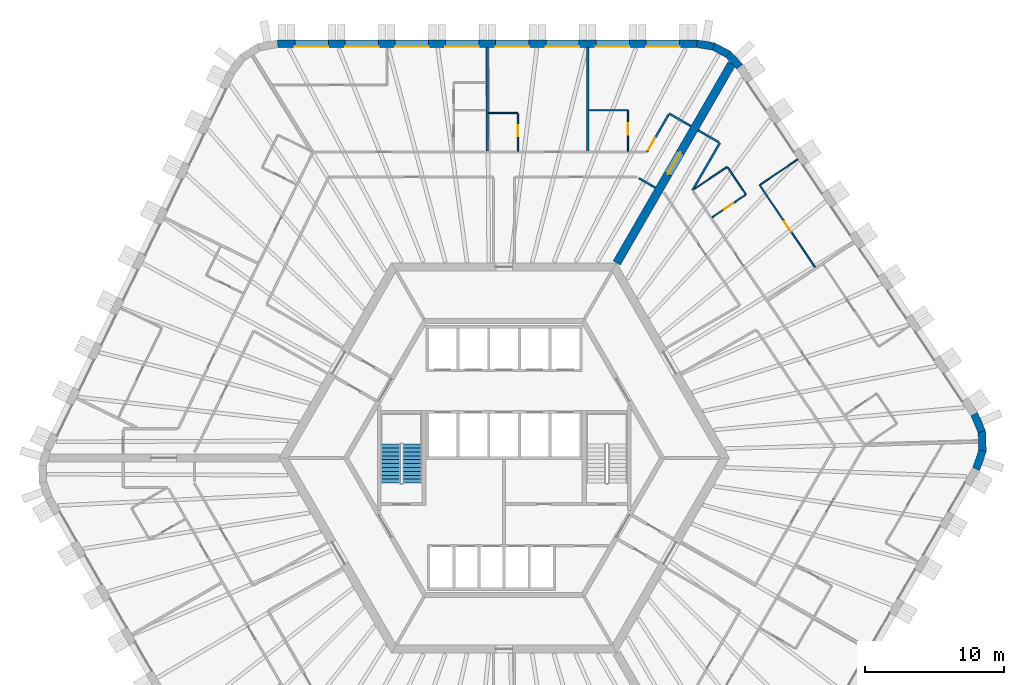
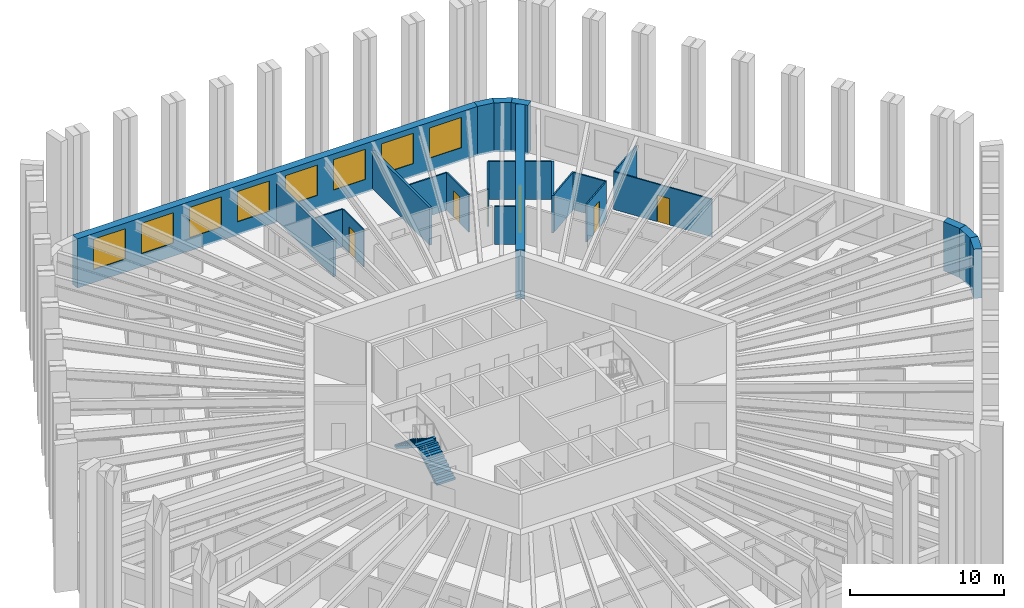
# One storey, part 10 of 13: 24 walls, 8 windows, 6 doors, 2 stair flights, 14 openings, 1 element without a shape of its own.
"""IFC4 building model written with IfcOpenShell, lengths in metres."""

from ifc_helpers import new_model, si_unit, direction, frame, frame_2d, origin, place, context, subcontext, project, spatial, polyline, rectangle, outline, extrude, material, layer, layer_set, type_object, element, fill, aggregate, save


model = new_model("IFC4")

# Units and contexts
model_context = context("Model", 3, precision=1e-05, world=origin(), true_north=direction((0.0, 1.0)))
body_context = subcontext(model_context, "Body", "Model", "MODEL_VIEW")
ifc_project = project(units=[si_unit("LENGTHUNIT", "METRE"), si_unit("AREAUNIT", "SQUARE_METRE"), si_unit("VOLUMEUNIT", "CUBIC_METRE"), si_unit("PLANEANGLEUNIT", "RADIAN"), si_unit("MASSUNIT", "GRAM", prefix="KILO")], contexts=[model_context])

# Site, building, storey
site_placement = place(None, origin())
site = spatial("IfcSite", under=ifc_project, at=site_placement, CompositionType="ELEMENT")
building_placement = place(site_placement, origin())
building = spatial("IfcBuilding", under=site, at=building_placement, Name="Tarnside Tower", CompositionType="ELEMENT")
storey_placement = place(building_placement, frame((0.0, 0.0, 111.60009765625)))
storey = spatial("IfcBuildingStorey", under=building, at=storey_placement, Name="L25", CompositionType="ELEMENT", Elevation=111.60009765625)

# Wall
ifc_material_1 = material(Name="Gypsum board partition on steel studs", Category="steel")
ifc_layer_1 = layer(ifc_material_1, 0.10009765625)
ifc_layer_set_1 = layer_set([ifc_layer_1], Name="Bathroom wall 100")
wall_type_1 = type_object("IfcWallType", Name="Bathroom wall 100", PredefinedType="PARTITIONING", material=ifc_layer_set_1)
wall_1_placement = place(storey_placement, frame((6.078857421875, 24.949951171875, 0.0), z_axis=(0.0, 0.0, 1.0), x_axis=(1.0, 0.0, 0.0)))
element("IfcWall", 1, at=wall_1_placement, inside=storey, type_object=wall_type_1, Name="Bathroom wall 08071", PredefinedType="PARTITIONING", context=body_context, shape_type="SweptSolid", body=[
    extrude(rectangle(XDim=2.81005859375, YDim=0.10009765625, at=frame_2d((1.405029296875, 0.0))), origin(), (0.0, 0.0, 1.0), 2.98779296875),
])

# Wall, opening, door
wall_2_placement = place(storey_placement, frame((8.888916015625, 24.89990234375, 0.0), z_axis=(0.0, 0.0, 1.0), x_axis=(0.0, -1.0, 0.0)))
wall_2 = element("IfcWall", 2, at=wall_2_placement, inside=storey, type_object=wall_type_1, Name="Bathroom wall 08072", PredefinedType="PARTITIONING", context=body_context, shape_type="SweptSolid", body=[
    extrude(rectangle(XDim=2.875, YDim=0.10009765625, at=frame_2d((1.4375, 0.0))), origin(), (0.0, 0.0, 1.0), 2.98779296875),
])
opening_1_placement = place(wall_2_placement, frame((0.89990234375, 0.0, 0.0)))
opening_1 = element("IfcOpeningElement", 3, at=opening_1_placement, cuts=wall_2, Name="Opening D-B1", PredefinedType="OPENING", context=body_context, shape_type="SweptSolid", body=[
    extrude(rectangle(XDim=0.800048828125, YDim=2.10009765625, at=frame_2d((0.39990234375, 1.050048828125))), frame((0.0, 0.06005859375, 0.0), z_axis=(0.0, -1.0, 0.0), x_axis=(1.0, 0.0, 0.0)), (0.0, 0.0, 1.0), 0.1201171875),
])
ifc_material_2 = material(Name="Timber door leaf", Category="wood")
door_type_1 = type_object("IfcDoorType", Name="Bathroom door 800", OperationType="NOTDEFINED", PredefinedType="DOOR", material=ifc_material_2)
door_1_placement = place(opening_1_placement, origin())
door_1 = element("IfcDoor", 4, at=door_1_placement, inside=storey, type_object=door_type_1, Name="Bathroom door 08002", OperationType="SINGLE_SWING_RIGHT", OverallHeight=2.10009765625, OverallWidth=0.800048828125, PredefinedType="DOOR", context=body_context, shape_type="SweptSolid", body=[
    extrude(rectangle(XDim=0.800048828125, YDim=2.10009765625, at=frame_2d((0.39990234375, 1.050048828125))), frame((0.0, 0.02490234375, 0.0), z_axis=(0.0, -1.0, 0.0), x_axis=(1.0, 0.0, 0.0)), (0.0, 0.0, 1.0), 0.050048828125),
])
fill(opening_1, door_1)

# Wall
wall_3_placement = place(storey_placement, frame((-1.12109375, 24.75, 0.0), z_axis=(0.0, 0.0, 1.0), x_axis=(1.0, 0.0, 0.0)))
element("IfcWall", 5, at=wall_3_placement, inside=storey, type_object=wall_type_1, Name="Bathroom wall 08075", PredefinedType="PARTITIONING", context=body_context, shape_type="SweptSolid", body=[
    extrude(rectangle(XDim=2.110107421875, YDim=0.10009765625, at=frame_2d((1.05517578125, 0.0))), origin(), (0.0, 0.0, 1.0), 2.98779296875),
])

# Wall, opening, door
wall_4_placement = place(storey_placement, frame((0.989013671875, 24.699951171875, 0.0), z_axis=(0.0, 0.0, 1.0), x_axis=(0.0, -1.0, 0.0)))
wall_4 = element("IfcWall", 6, at=wall_4_placement, inside=storey, type_object=wall_type_1, Name="Bathroom wall 08076", PredefinedType="PARTITIONING", context=body_context, shape_type="SweptSolid", body=[
    extrude(rectangle(XDim=2.675048828125, YDim=0.10009765625, at=frame_2d((1.33740234375, 0.0))), origin(), (0.0, 0.0, 1.0), 2.98779296875),
])
opening_2_placement = place(wall_4_placement, frame((0.81005859375, 0.0, 0.0)))
opening_2 = element("IfcOpeningElement", 7, at=opening_2_placement, cuts=wall_4, Name="Opening D-B1", PredefinedType="OPENING", context=body_context, shape_type="SweptSolid", body=[
    extrude(rectangle(XDim=0.800048828125, YDim=2.10009765625, at=frame_2d((0.39990234375, 1.050048828125))), frame((0.0, 0.06005859375, 0.0), z_axis=(0.0, -1.0, 0.0), x_axis=(1.0, 0.0, 0.0)), (0.0, 0.0, 1.0), 0.1201171875),
])
door_2_placement = place(opening_2_placement, origin())
door_2 = element("IfcDoor", 8, at=door_2_placement, inside=storey, type_object=door_type_1, Name="Bathroom door 08004", OperationType="SINGLE_SWING_RIGHT", OverallHeight=2.10009765625, OverallWidth=0.800048828125, PredefinedType="DOOR", context=body_context, shape_type="SweptSolid", body=[
    extrude(rectangle(XDim=0.800048828125, YDim=2.10009765625, at=frame_2d((0.39990234375, 1.050048828125))), frame((0.0, 0.02490234375, 0.0), z_axis=(0.0, -1.0, 0.0), x_axis=(1.0, 0.0, 0.0)), (0.0, 0.0, 1.0), 0.050048828125),
])
fill(opening_2, door_2)

# Walls
wall_5_placement = place(storey_placement, frame((13.6591796875, 19.308349609375, 0.0), z_axis=(0.0, 0.0, 1.0), x_axis=(0.829010718334, 0.559232714429, 0.0)))
element("IfcWall", 9, at=wall_5_placement, inside=storey, type_object=wall_type_1, Name="Bathroom wall 08145", PredefinedType="PARTITIONING", context=body_context, shape_type="SweptSolid", body=[
    extrude(rectangle(XDim=2.828857421875, YDim=0.10009765625, at=frame_2d((1.41455078125, 0.0))), origin(), (0.0, 0.0, 1.0), 2.98779296875),
])
wall_6_placement = place(storey_placement, frame((16.032470703125, 20.848876953125, 0.0), z_axis=(0.0, 0.0, 1.0), x_axis=(0.559151632687, -0.829065408555, 0.0)))
element("IfcWall", 10, at=wall_6_placement, inside=storey, type_object=wall_type_1, Name="Bathroom wall 08146", PredefinedType="PARTITIONING", context=body_context, shape_type="SweptSolid", body=[
    extrude(rectangle(XDim=2.349853515625, YDim=0.10009765625, at=frame_2d((1.1748046875, 0.0))), origin(), (0.0, 0.0, 1.0), 2.98779296875),
])

# Wall, opening, door
wall_7_placement = place(storey_placement, frame((17.30517578125, 18.87255859375, 0.0), z_axis=(0.0, 0.0, 1.0), x_axis=(-0.82904649496, -0.559179675234, 0.0)))
wall_7 = element("IfcWall", 11, at=wall_7_placement, inside=storey, type_object=wall_type_1, Name="Bathroom wall 08147", PredefinedType="PARTITIONING", context=body_context, shape_type="SweptSolid", body=[
    extrude(rectangle(XDim=2.875, YDim=0.10009765625, at=frame_2d((1.4375, 0.0))), origin(), (0.0, 0.0, 1.0), 2.98779296875),
])
opening_3_placement = place(wall_7_placement, frame((1.050048828125, 0.0, 0.0)))
opening_3 = element("IfcOpeningElement", 12, at=opening_3_placement, cuts=wall_7, Name="Opening D-B1", PredefinedType="OPENING", context=body_context, shape_type="SweptSolid", body=[
    extrude(rectangle(XDim=0.800048828125, YDim=2.10009765625, at=frame_2d((0.39990234375, 1.050048828125))), frame((0.0, 0.06005859375, 0.0), z_axis=(0.0, -1.0, 0.0), x_axis=(1.0, 0.0, 0.0)), (0.0, 0.0, 1.0), 0.1201171875),
])
door_3_placement = place(opening_3_placement, origin())
door_3 = element("IfcDoor", 13, at=door_3_placement, inside=storey, type_object=door_type_1, Name="Bathroom door 08038", OperationType="SINGLE_SWING_LEFT", OverallHeight=2.10009765625, OverallWidth=0.800048828125, PredefinedType="DOOR", context=body_context, shape_type="SweptSolid", body=[
    extrude(rectangle(XDim=0.800048828125, YDim=2.10009765625, at=frame_2d((0.39990234375, 1.050048828125))), frame((0.0, 0.02490234375, 0.0), z_axis=(0.0, -1.0, 0.0), x_axis=(1.0, 0.0, 0.0)), (0.0, 0.0, 1.0), 0.050048828125),
])
fill(opening_3, door_3)

ifc_material_3 = material(Name="Concrete C80/95", Category="concrete")
ifc_layer_2 = layer(ifc_material_3, 0.60009765625)
ifc_layer_set_2 = layer_set([ifc_layer_2], Name="Core wall Z1 600 C80/95")
wall_type_2 = type_object("IfcWallType", Name="Core wall Z1 600 C80/95", PredefinedType="SHEAR", material=ifc_layer_set_2)
wall_8_placement = place(storey_placement, frame((8.0830078125, 14.0, -0.150146484375), z_axis=(0.0, 0.0, 1.0), x_axis=(0.499997680643, 0.866026742862, 0.0)))
wall_8 = element("IfcWall", 14, at=wall_8_placement, inside=storey, type_object=wall_type_2, Name="L25 spine wall 1", PredefinedType="SHEAR", context=body_context, shape_type="SweptSolid", body=[
    extrude(rectangle(XDim=16.5087890625, YDim=0.60009765625, at=frame_2d((8.25439453125, 0.0))), origin(), (0.0, 0.0, 1.0), 3.900146484375),
])
opening_4_placement = place(wall_8_placement, frame((7.3544921875, 0.0, 0.14990234375)))
opening_4 = element("IfcOpeningElement", 15, at=opening_4_placement, cuts=wall_8, Name="Opening CD-SPN", PredefinedType="OPENING", context=body_context, shape_type="SweptSolid", body=[
    extrude(rectangle(XDim=1.800048828125, YDim=2.39990234375, at=frame_2d((0.89990234375, 1.199951171875))), frame((0.0, 0.31005859375, 0.0), z_axis=(0.0, -1.0, 0.0), x_axis=(1.0, 0.0, 0.0)), (0.0, 0.0, 1.0), 0.6201171875),
])
ifc_material_4 = material(Name="Steel fire door", Category="steel")
door_type_2 = type_object("IfcDoorType", Name="Spine passage double door FD60 1800x2400", OperationType="NOTDEFINED", PredefinedType="DOOR", material=ifc_material_4)
door_4_placement = place(opening_4_placement, origin())
door_4 = element("IfcDoor", 16, at=door_4_placement, inside=storey, type_object=door_type_2, Name="L25 spine passage door 1", OperationType="DOUBLE_DOOR_SINGLE_SWING", OverallHeight=2.39990234375, OverallWidth=1.800048828125, PredefinedType="DOOR", context=body_context, shape_type="SweptSolid", body=[
    extrude(rectangle(XDim=1.800048828125, YDim=2.39990234375, at=frame_2d((0.89990234375, 1.199951171875))), frame((0.0, 0.02490234375, 0.0), z_axis=(0.0, -1.0, 0.0), x_axis=(1.0, 0.0, 0.0)), (0.0, 0.0, 1.0), 0.050048828125),
])
fill(opening_4, door_4)

# Wall
ifc_layer_3 = layer(ifc_material_1, 0.14990234375)
ifc_layer_set_3 = layer_set([ifc_layer_3], Name="Corridor wall 150 EI 60")
wall_type_3 = type_object("IfcWallType", Name="Corridor wall 150 EI 60", PredefinedType="PARTITIONING", material=ifc_layer_set_3)
wall_9_placement = place(storey_placement, frame((13.400390625, 23.81005859375, 0.0), z_axis=(0.0, 0.0, 1.0), x_axis=(-0.865989075817, 0.500062916607, 0.0)))
element("IfcWall", 17, at=wall_9_placement, inside=storey, type_object=wall_type_3, Name="Corridor wall 08001", PredefinedType="PARTITIONING", context=body_context, shape_type="SweptSolid", body=[
    extrude(rectangle(XDim=1.800048828125, YDim=0.14990234375, at=frame_2d((0.89990234375, 0.0))), origin(), (0.0, 0.0, 1.0), 2.98779296875),
])

# Wall, opening, door
wall_10_placement = place(storey_placement, frame((11.803955078125, 24.64501953125, 0.0), z_axis=(0.0, 0.0, 1.0), x_axis=(-0.499978251519, -0.866037959912, 0.0)))
wall_10 = element("IfcWall", 18, at=wall_10_placement, inside=storey, type_object=wall_type_3, Name="Corridor wall 08002", PredefinedType="PARTITIONING", context=body_context, shape_type="SweptSolid", body=[
    extrude(rectangle(XDim=3.112060546875, YDim=0.14990234375, at=frame_2d((1.55615234375, 0.0))), origin(), (0.0, 0.0, 1.0), 2.98779296875),
])
opening_5_placement = place(wall_10_placement, frame((1.962158203125, 0.0, 0.0)))
opening_5 = element("IfcOpeningElement", 19, at=opening_5_placement, cuts=wall_10, Name="Opening D-E1", PredefinedType="OPENING", context=body_context, shape_type="SweptSolid", body=[
    extrude(rectangle(XDim=1.0, YDim=2.10009765625, at=frame_2d((0.5, 1.050048828125))), frame((0.0, 0.0849609375, 0.0), z_axis=(0.0, -1.0, 0.0), x_axis=(1.0, 0.0, 0.0)), (0.0, 0.0, 1.0), 0.169921875),
])
door_type_3 = type_object("IfcDoorType", Name="Unit entrance door 1000 FD30S", OperationType="NOTDEFINED", PredefinedType="DOOR", material=ifc_material_2)
door_5_placement = place(opening_5_placement, origin())
door_5 = element("IfcDoor", 20, at=door_5_placement, inside=storey, type_object=door_type_3, Name="Unit door 08001", OperationType="SINGLE_SWING_LEFT", OverallHeight=2.10009765625, OverallWidth=1.0, PredefinedType="DOOR", context=body_context, shape_type="SweptSolid", body=[
    extrude(rectangle(XDim=1.0, YDim=2.10009765625, at=frame_2d((0.5, 1.050048828125))), frame((0.0, 0.02490234375, 0.0), z_axis=(0.0, -1.0, 0.0), x_axis=(1.0, 0.0, 0.0)), (0.0, 0.0, 1.0), 0.050048828125),
])
fill(opening_5, door_5)

# Walls
wall_11_placement = place(storey_placement, frame((9.6669921875, 20.074951171875, 0.0), z_axis=(0.0, 0.0, 1.0), x_axis=(0.866000994684, -0.500042275419, 0.0)))
element("IfcWall", 21, at=wall_11_placement, inside=storey, type_object=wall_type_3, Name="Corridor wall 08022", PredefinedType="PARTITIONING", context=body_context, shape_type="SweptSolid", body=[
    extrude(rectangle(XDim=1.36572265625, YDim=0.14990234375, at=frame_2d((0.682861328125, 0.0))), origin(), (0.0, 0.0, 1.0), 2.98779296875),
])
wall_12_placement = place(storey_placement, frame((13.517333984375, 19.212646484375, 0.0), z_axis=(0.0, 0.0, 1.0), x_axis=(0.499981033738, 0.866036353684, 0.0)))
element("IfcWall", 22, at=wall_12_placement, inside=storey, type_object=wall_type_3, Name="Corridor wall 08058", PredefinedType="PARTITIONING", context=body_context, shape_type="SweptSolid", body=[
    extrude(rectangle(XDim=3.923095703125, YDim=0.14990234375, at=frame_2d((1.96142578125, 0.0))), origin(), (0.0, 0.0, 1.0), 2.98779296875),
])
wall_13_placement = place(storey_placement, frame((15.413818359375, 22.647705078125, 0.0), z_axis=(0.0, 0.0, 1.0), x_axis=(-0.866074815912, 0.499914405916, 0.0)))
element("IfcWall", 23, at=wall_13_placement, inside=storey, type_object=wall_type_3, Name="Corridor wall 08059", PredefinedType="PARTITIONING", context=body_context, shape_type="SweptSolid", body=[
    extrude(rectangle(XDim=1.724853515625, YDim=0.14990234375, at=frame_2d((0.8623046875, 0.0))), origin(), (0.0, 0.0, 1.0), 2.98779296875),
])
ifc_layer_4 = layer(ifc_material_1, 0.179931640625)
ifc_layer_set_4 = layer_set([ifc_layer_4], Name="Demising wall 180 EI 60")
wall_type_4 = type_object("IfcWallType", Name="Demising wall 180 EI 60", PredefinedType="PARTITIONING", material=ifc_layer_set_4)
for number, where, z_axis, x_axis, name in (
    (24, (5.989013671875, 29.449951171875, 0.0), (0.0, 0.0, 1.0), (0.0, -1.0, 0.0), "Demising wall 08073"),
    (25, (-1.2109375, 29.449951171875, 0.0), (0.0, 0.0, 1.0), (0.0, -1.0, 0.0), "Demising wall 08077"),
):
    element("IfcWall", number, at=place(storey_placement, frame(where, z_axis=z_axis, x_axis=x_axis)), inside=storey, type_object=wall_type_4, Name=name, PredefinedType="PARTITIONING", context=body_context, shape_type="SweptSolid", body=[
        extrude(rectangle(XDim=7.425048828125, YDim=0.179931640625, at=frame_2d((3.71240234375, 0.0))), origin(), (0.0, 0.0, 1.0), 2.98779296875),
    ])

# Wall, opening, door
ifc_layer_5 = layer(ifc_material_1, 0.10009765625)
ifc_layer_set_5 = layer_set([ifc_layer_5], Name="Partition 100")
wall_type_5 = type_object("IfcWallType", Name="Partition 100", PredefinedType="PARTITIONING", material=ifc_layer_set_5)
wall_14_placement = place(storey_placement, frame((22.30615234375, 13.693359375, 0.0), z_axis=(0.0, 0.0, 1.0), x_axis=(-0.559185029686, 0.829042883435, 0.0)))
wall_14 = element("IfcWall", 26, at=wall_14_placement, inside=storey, type_object=wall_type_5, Name="Partition wall 08148", PredefinedType="PARTITIONING", context=body_context, shape_type="SweptSolid", body=[
    extrude(rectangle(XDim=7.110107421875, YDim=0.10009765625, at=frame_2d((3.55517578125, 0.0))), origin(), (0.0, 0.0, 1.0), 2.98779296875),
])
opening_6_placement = place(wall_14_placement, frame((3.06005859375, 0.0, 0.0)))
opening_6 = element("IfcOpeningElement", 27, at=opening_6_placement, cuts=wall_14, Name="Opening D-I1", PredefinedType="OPENING", context=body_context, shape_type="SweptSolid", body=[
    extrude(rectangle(XDim=0.89990234375, YDim=2.10009765625, at=frame_2d((0.449951171875, 1.050048828125))), frame((0.0, 0.06005859375, 0.0), z_axis=(0.0, -1.0, 0.0), x_axis=(1.0, 0.0, 0.0)), (0.0, 0.0, 1.0), 0.1201171875),
])
door_type_4 = type_object("IfcDoorType", Name="Internal door 900", OperationType="NOTDEFINED", PredefinedType="DOOR", material=ifc_material_2)
door_6_placement = place(opening_6_placement, origin())
door_6 = element("IfcDoor", 28, at=door_6_placement, inside=storey, type_object=door_type_4, Name="Internal door 08039", OperationType="SINGLE_SWING_RIGHT", OverallHeight=2.10009765625, OverallWidth=0.89990234375, PredefinedType="DOOR", context=body_context, shape_type="SweptSolid", body=[
    extrude(rectangle(XDim=0.89990234375, YDim=2.10009765625, at=frame_2d((0.449951171875, 1.050048828125))), frame((0.0, 0.02490234375, 0.0), z_axis=(0.0, -1.0, 0.0), x_axis=(1.0, 0.0, 0.0)), (0.0, 0.0, 1.0), 0.050048828125),
])
fill(opening_6, door_6)

# Wall
wall_15_placement = place(storey_placement, frame((18.371826171875, 19.615966796875, 0.0), z_axis=(0.0, 0.0, 1.0), x_axis=(0.829033253898, 0.55919930609, 0.0)))
element("IfcWall", 29, at=wall_15_placement, inside=storey, type_object=wall_type_5, Name="Partition wall 08149", PredefinedType="PARTITIONING", context=body_context, shape_type="SweptSolid", body=[
    extrude(rectangle(XDim=3.25, YDim=0.10009765625, at=frame_2d((1.625, 0.0))), origin(), (0.0, 0.0, 1.0), 2.98779296875),
])

# Wall, openings, windows
ifc_material_5 = material(Name="Facing brick", Category="masonry")
ifc_layer_6 = layer(ifc_material_5, 0.10205078125)
ifc_material_6 = material(Name="Concrete C60/75 precast", Category="concrete")
ifc_layer_7 = layer(ifc_material_6, 0.347900390625)
ifc_material_7 = material(Name="Mineral wool insulation")
ifc_layer_8 = layer(ifc_material_7, 0.10009765625)
ifc_layer_set_6 = layer_set([ifc_layer_6, ifc_layer_7, ifc_layer_8], Name="Tube wall 550 brick faced")
wall_type_6 = type_object("IfcWallType", Name="Tube wall 550 brick faced", PredefinedType="SOLIDWALL", material=ifc_layer_set_6)
wall_16_placement = place(storey_placement, frame((13.824462890625, 29.72509765625, -0.150146484375), z_axis=(0.0, 0.0, 1.0), x_axis=(-1.0, 0.0, 0.0)))
wall_16 = element("IfcWall", 30, at=wall_16_placement, inside=storey, type_object=wall_type_6, Name="Tube wall L25 F1 flush 00", PredefinedType="SOLIDWALL", context=body_context, shape_type="SweptSolid", body=[
    extrude(outline(polyline([(-0.0224609375, -0.27490234375), (30.0966796875, -0.27490234375), (30.04541015625, 0.27490234375), (0.0224609375, 0.27490234375), (-0.0224609375, -0.27490234375)])), origin(), (0.0, 0.0, 1.0), 3.900146484375),
])
opening_7_placement = place(wall_16_placement, frame((1.235595703125, 0.0, 1.050048828125)))
opening_7 = element("IfcOpeningElement", 31, at=opening_7_placement, cuts=wall_16, Name="Opening WH", PredefinedType="OPENING", context=body_context, shape_type="SweptSolid", body=[
    extrude(rectangle(XDim=2.39990234375, YDim=2.39990234375, at=frame_2d((1.199951171875, 1.199951171875))), frame((0.0, 0.28515625, 0.0), z_axis=(0.0, -1.0, 0.0), x_axis=(1.0, 0.0, 0.0)), (0.0, 0.0, 1.0), 0.570068359375),
])
opening_8_placement = place(wall_16_placement, frame((4.83544921875, 0.0, 1.050048828125)))
opening_8 = element("IfcOpeningElement", 32, at=opening_8_placement, cuts=wall_16, Name="Opening WH", PredefinedType="OPENING", context=body_context, shape_type="SweptSolid", body=[
    extrude(rectangle(XDim=2.39990234375, YDim=2.39990234375, at=frame_2d((1.199951171875, 1.199951171875))), frame((0.0, 0.28515625, 0.0), z_axis=(0.0, -1.0, 0.0), x_axis=(1.0, 0.0, 0.0)), (0.0, 0.0, 1.0), 0.570068359375),
])
opening_9_placement = place(wall_16_placement, frame((8.435546875, 0.0, 1.050048828125)))
opening_9 = element("IfcOpeningElement", 33, at=opening_9_placement, cuts=wall_16, Name="Opening WH", PredefinedType="OPENING", context=body_context, shape_type="SweptSolid", body=[
    extrude(rectangle(XDim=2.39990234375, YDim=2.39990234375, at=frame_2d((1.199951171875, 1.199951171875))), frame((0.0, 0.28515625, 0.0), z_axis=(0.0, -1.0, 0.0), x_axis=(1.0, 0.0, 0.0)), (0.0, 0.0, 1.0), 0.570068359375),
])
opening_10_placement = place(wall_16_placement, frame((12.035400390625, 0.0, 1.050048828125)))
opening_10 = element("IfcOpeningElement", 34, at=opening_10_placement, cuts=wall_16, Name="Opening WH", PredefinedType="OPENING", context=body_context, shape_type="SweptSolid", body=[
    extrude(rectangle(XDim=2.39990234375, YDim=2.39990234375, at=frame_2d((1.199951171875, 1.199951171875))), frame((0.0, 0.28515625, 0.0), z_axis=(0.0, -1.0, 0.0), x_axis=(1.0, 0.0, 0.0)), (0.0, 0.0, 1.0), 0.570068359375),
])
opening_11_placement = place(wall_16_placement, frame((15.635498046875, 0.0, 1.050048828125)))
opening_11 = element("IfcOpeningElement", 35, at=opening_11_placement, cuts=wall_16, Name="Opening WH", PredefinedType="OPENING", context=body_context, shape_type="SweptSolid", body=[
    extrude(rectangle(XDim=2.39990234375, YDim=2.39990234375, at=frame_2d((1.199951171875, 1.199951171875))), frame((0.0, 0.28515625, 0.0), z_axis=(0.0, -1.0, 0.0), x_axis=(1.0, 0.0, 0.0)), (0.0, 0.0, 1.0), 0.570068359375),
])
opening_12_placement = place(wall_16_placement, frame((19.235595703125, 0.0, 1.050048828125)))
opening_12 = element("IfcOpeningElement", 36, at=opening_12_placement, cuts=wall_16, Name="Opening WH", PredefinedType="OPENING", context=body_context, shape_type="SweptSolid", body=[
    extrude(rectangle(XDim=2.39990234375, YDim=2.39990234375, at=frame_2d((1.199951171875, 1.199951171875))), frame((0.0, 0.28515625, 0.0), z_axis=(0.0, -1.0, 0.0), x_axis=(1.0, 0.0, 0.0)), (0.0, 0.0, 1.0), 0.570068359375),
])
opening_13_placement = place(wall_16_placement, frame((22.83544921875, 0.0, 1.050048828125)))
opening_13 = element("IfcOpeningElement", 37, at=opening_13_placement, cuts=wall_16, Name="Opening WH", PredefinedType="OPENING", context=body_context, shape_type="SweptSolid", body=[
    extrude(rectangle(XDim=2.39990234375, YDim=2.39990234375, at=frame_2d((1.199951171875, 1.199951171875))), frame((0.0, 0.28515625, 0.0), z_axis=(0.0, -1.0, 0.0), x_axis=(1.0, 0.0, 0.0)), (0.0, 0.0, 1.0), 0.570068359375),
])
opening_14_placement = place(wall_16_placement, frame((26.435546875, 0.0, 1.050048828125)))
opening_14 = element("IfcOpeningElement", 38, at=opening_14_placement, cuts=wall_16, Name="Opening WH", PredefinedType="OPENING", context=body_context, shape_type="SweptSolid", body=[
    extrude(rectangle(XDim=2.39990234375, YDim=2.39990234375, at=frame_2d((1.199951171875, 1.199951171875))), frame((0.0, 0.28515625, 0.0), z_axis=(0.0, -1.0, 0.0), x_axis=(1.0, 0.0, 0.0)), (0.0, 0.0, 1.0), 0.570068359375),
])
ifc_material_8 = material(Name="Aluminium-framed double glazing", Category="aluminium")
window_type = type_object("IfcWindowType", Name="Hotel window 2400 x 2400", PartitioningType="DOUBLE_PANEL_VERTICAL", PredefinedType="WINDOW", material=ifc_material_8)
window_1_placement = place(opening_7_placement, frame((0.0, 0.205078125, 0.0)))
window_1 = element("IfcWindow", 39, at=window_1_placement, inside=storey, type_object=window_type, Name="E.WN.L25.F1.00", OverallHeight=2.39990234375, OverallWidth=2.39990234375, PartitioningType="DOUBLE_PANEL_VERTICAL", PredefinedType="WINDOW", context=body_context, shape_type="SweptSolid", body=[
    extrude(rectangle(XDim=2.39990234375, YDim=2.39990234375, at=frame_2d((1.199951171875, 1.199951171875))), frame((0.0, 0.030029296875, 0.0), z_axis=(0.0, -1.0, 0.0), x_axis=(1.0, 0.0, 0.0)), (0.0, 0.0, 1.0), 0.06005859375),
])
fill(opening_7, window_1)
window_2_placement = place(opening_8_placement, frame((0.0, 0.205078125, 0.0)))
window_2 = element("IfcWindow", 40, at=window_2_placement, inside=storey, type_object=window_type, Name="E.WN.L25.F1.01", OverallHeight=2.39990234375, OverallWidth=2.39990234375, PartitioningType="DOUBLE_PANEL_VERTICAL", PredefinedType="WINDOW", context=body_context, shape_type="SweptSolid", body=[
    extrude(rectangle(XDim=2.39990234375, YDim=2.39990234375, at=frame_2d((1.199951171875, 1.199951171875))), frame((0.0, 0.030029296875, 0.0), z_axis=(0.0, -1.0, 0.0), x_axis=(1.0, 0.0, 0.0)), (0.0, 0.0, 1.0), 0.06005859375),
])
fill(opening_8, window_2)
window_3_placement = place(opening_9_placement, frame((0.0, 0.205078125, 0.0)))
window_3 = element("IfcWindow", 41, at=window_3_placement, inside=storey, type_object=window_type, Name="E.WN.L25.F1.02", OverallHeight=2.39990234375, OverallWidth=2.39990234375, PartitioningType="DOUBLE_PANEL_VERTICAL", PredefinedType="WINDOW", context=body_context, shape_type="SweptSolid", body=[
    extrude(rectangle(XDim=2.39990234375, YDim=2.39990234375, at=frame_2d((1.199951171875, 1.199951171875))), frame((0.0, 0.030029296875, 0.0), z_axis=(0.0, -1.0, 0.0), x_axis=(1.0, 0.0, 0.0)), (0.0, 0.0, 1.0), 0.06005859375),
])
fill(opening_9, window_3)
window_4_placement = place(opening_10_placement, frame((0.0, 0.205078125, 0.0)))
window_4 = element("IfcWindow", 42, at=window_4_placement, inside=storey, type_object=window_type, Name="E.WN.L25.F1.03", OverallHeight=2.39990234375, OverallWidth=2.39990234375, PartitioningType="DOUBLE_PANEL_VERTICAL", PredefinedType="WINDOW", context=body_context, shape_type="SweptSolid", body=[
    extrude(rectangle(XDim=2.39990234375, YDim=2.39990234375, at=frame_2d((1.199951171875, 1.199951171875))), frame((0.0, 0.030029296875, 0.0), z_axis=(0.0, -1.0, 0.0), x_axis=(1.0, 0.0, 0.0)), (0.0, 0.0, 1.0), 0.06005859375),
])
fill(opening_10, window_4)
window_5_placement = place(opening_11_placement, frame((0.0, 0.205078125, 0.0)))
window_5 = element("IfcWindow", 43, at=window_5_placement, inside=storey, type_object=window_type, Name="E.WN.L25.F1.04", OverallHeight=2.39990234375, OverallWidth=2.39990234375, PartitioningType="DOUBLE_PANEL_VERTICAL", PredefinedType="WINDOW", context=body_context, shape_type="SweptSolid", body=[
    extrude(rectangle(XDim=2.39990234375, YDim=2.39990234375, at=frame_2d((1.199951171875, 1.199951171875))), frame((0.0, 0.030029296875, 0.0), z_axis=(0.0, -1.0, 0.0), x_axis=(1.0, 0.0, 0.0)), (0.0, 0.0, 1.0), 0.06005859375),
])
fill(opening_11, window_5)
window_6_placement = place(opening_12_placement, frame((0.0, 0.205078125, 0.0)))
window_6 = element("IfcWindow", 44, at=window_6_placement, inside=storey, type_object=window_type, Name="E.WN.L25.F1.05", OverallHeight=2.39990234375, OverallWidth=2.39990234375, PartitioningType="DOUBLE_PANEL_VERTICAL", PredefinedType="WINDOW", context=body_context, shape_type="SweptSolid", body=[
    extrude(rectangle(XDim=2.39990234375, YDim=2.39990234375, at=frame_2d((1.199951171875, 1.199951171875))), frame((0.0, 0.030029296875, 0.0), z_axis=(0.0, -1.0, 0.0), x_axis=(1.0, 0.0, 0.0)), (0.0, 0.0, 1.0), 0.06005859375),
])
fill(opening_12, window_6)
window_7_placement = place(opening_13_placement, frame((0.0, 0.205078125, 0.0)))
window_7 = element("IfcWindow", 45, at=window_7_placement, inside=storey, type_object=window_type, Name="E.WN.L25.F1.06", OverallHeight=2.39990234375, OverallWidth=2.39990234375, PartitioningType="DOUBLE_PANEL_VERTICAL", PredefinedType="WINDOW", context=body_context, shape_type="SweptSolid", body=[
    extrude(rectangle(XDim=2.39990234375, YDim=2.39990234375, at=frame_2d((1.199951171875, 1.199951171875))), frame((0.0, 0.030029296875, 0.0), z_axis=(0.0, -1.0, 0.0), x_axis=(1.0, 0.0, 0.0)), (0.0, 0.0, 1.0), 0.06005859375),
])
fill(opening_13, window_7)
window_8_placement = place(opening_14_placement, frame((0.0, 0.205078125, 0.0)))
window_8 = element("IfcWindow", 46, at=window_8_placement, inside=storey, type_object=window_type, Name="E.WN.L25.F1.07", OverallHeight=2.39990234375, OverallWidth=2.39990234375, PartitioningType="DOUBLE_PANEL_VERTICAL", PredefinedType="WINDOW", context=body_context, shape_type="SweptSolid", body=[
    extrude(rectangle(XDim=2.39990234375, YDim=2.39990234375, at=frame_2d((1.199951171875, 1.199951171875))), frame((0.0, 0.030029296875, 0.0), z_axis=(0.0, -1.0, 0.0), x_axis=(1.0, 0.0, 0.0)), (0.0, 0.0, 1.0), 0.06005859375),
])
fill(opening_14, window_8)

# Walls
wall_17_placement = place(storey_placement, frame((33.865966796875, -0.79248046875, -0.150146484375), z_axis=(0.0, 0.0, 1.0), x_axis=(0.33111537203, 0.943590276765, 0.0)))
element("IfcWall", 47, at=wall_17_placement, inside=storey, type_object=wall_type_6, Name="Tube wall L25 F5 chord 17", PredefinedType="SOLIDWALL", context=body_context, shape_type="SweptSolid", body=[
    extrude(outline(polyline([(-0.025634765625, -0.27490234375), (1.4306640625, -0.27490234375), (1.3271484375, 0.27490234375), (0.025634765625, 0.27490234375), (-0.025634765625, -0.27490234375)])), origin(), (0.0, 0.0, 1.0), 3.900146484375),
])
wall_18_placement = place(storey_placement, frame((34.322509765625, 0.508544921875, -0.150146484375), z_axis=(0.0, 0.0, 1.0), x_axis=(-0.034876908462, 0.999391615562, 0.0)))
element("IfcWall", 48, at=wall_18_placement, inside=storey, type_object=wall_type_6, Name="Tube wall L25 F5 chord 18", PredefinedType="SOLIDWALL", context=body_context, shape_type="SweptSolid", body=[
    extrude(outline(polyline([(-0.0517578125, -0.27490234375), (1.4306640625, -0.27490234375), (1.3271484375, 0.27490234375), (0.0517578125, 0.27490234375), (-0.0517578125, -0.27490234375)])), origin(), (0.0, 0.0, 1.0), 3.900146484375),
])
wall_19_placement = place(storey_placement, frame((34.2744140625, 1.88671875, -0.150146484375), z_axis=(0.0, 0.0, 1.0), x_axis=(-0.396161342798, 0.918180913803, 0.0)))
element("IfcWall", 49, at=wall_19_placement, inside=storey, type_object=wall_type_6, Name="Tube wall L25 F5 chord 19", PredefinedType="SOLIDWALL", context=body_context, shape_type="SweptSolid", body=[
    extrude(outline(polyline([(-0.0517578125, -0.27490234375), (1.40478515625, -0.27490234375), (1.353515625, 0.27490234375), (0.0517578125, 0.27490234375), (-0.0517578125, -0.27490234375)])), origin(), (0.0, 0.0, 1.0), 3.900146484375),
])
wall_20_placement = place(storey_placement, frame((16.91259765625, 28.0830078125, -0.150146484375), z_axis=(0.0, 0.0, 1.0), x_axis=(-0.686196220404, 0.727416488061, 0.0)))
element("IfcWall", 50, at=wall_20_placement, inside=storey, type_object=wall_type_6, Name="Tube wall L25 F6 chord 21", PredefinedType="SOLIDWALL", context=body_context, shape_type="SweptSolid", body=[
    extrude(outline(polyline([(-0.0224609375, -0.27490234375), (1.25341796875, -0.27490234375), (1.1630859375, 0.27490234375), (0.0224609375, 0.27490234375), (-0.0224609375, -0.27490234375)])), origin(), (0.0, 0.0, 1.0), 3.900146484375),
])
wall_21_placement = place(storey_placement, frame((16.08349609375, 28.9619140625, -0.150146484375), z_axis=(0.0, 0.0, 1.0), x_axis=(-0.882995347911, 0.469381737574, 0.0)))
element("IfcWall", 51, at=wall_21_placement, inside=storey, type_object=wall_type_6, Name="Tube wall L25 F6 chord 22", PredefinedType="SOLIDWALL", context=body_context, shape_type="SweptSolid", body=[
    extrude(outline(polyline([(-0.045166015625, -0.27490234375), (1.25341796875, -0.27490234375), (1.1630859375, 0.27490234375), (0.045166015625, 0.27490234375), (-0.045166015625, -0.27490234375)])), origin(), (0.0, 0.0, 1.0), 3.900146484375),
])
wall_22_placement = place(storey_placement, frame((15.0166015625, 29.529052734375, -0.150146484375), z_axis=(0.0, 0.0, 1.0), x_axis=(-0.986746625868, 0.162268593195, 0.0)))
element("IfcWall", 52, at=wall_22_placement, inside=storey, type_object=wall_type_6, Name="Tube wall L25 F6 chord 23", PredefinedType="SOLIDWALL", context=body_context, shape_type="SweptSolid", body=[
    extrude(outline(polyline([(-0.045166015625, -0.27490234375), (1.230712890625, -0.27490234375), (1.185791015625, 0.27490234375), (0.045166015625, 0.27490234375), (-0.045166015625, -0.27490234375)])), origin(), (0.0, 0.0, 1.0), 3.900146484375),
])

# Stair, stair flights
ifc_material_9 = material(Name="Concrete C40/50", Category="concrete")
stair_type = type_object("IfcStairType", Name="Exit stair 1400 clear", PredefinedType="HALF_TURN_STAIR", material=ifc_material_9)
stair_placement = place(storey_placement, origin())
stair = element("IfcStair", 53, at=stair_placement, inside=storey, type_object=stair_type, Name="L25 Exit stair 2", PredefinedType="HALF_TURN_STAIR")
stair_flight_type = type_object("IfcStairFlightType", Name="Exit stair flight 1400", PredefinedType="STRAIGHT", material=ifc_material_9)
stair_flight_1_placement = place(storey_placement, frame((-6.60009765625, -1.800048828125, 0.0), z_axis=(0.0, 0.0, 1.0), x_axis=(0.0, 1.0, 0.0)))
stair_flight_1 = element("IfcStairFlight", 54, at=stair_flight_1_placement, type_object=stair_flight_type, Name="ST2 flight 1", NumberOfRisers=11, NumberOfTreads=10, PredefinedType="STRAIGHT", RiserHeight=0.177272727, TreadLength=0.28, context=body_context, shape_type="SweptSolid", body=[
    extrude(outline(polyline([(0.0, 0.0), (0.0, 0.17724609375), (0.280029296875, 0.17724609375), (0.280029296875, 0.3544921875), (0.56005859375, 0.3544921875), (0.56005859375, 0.53173828125), (0.840087890625, 0.53173828125), (0.840087890625, 0.708984375), (1.1201171875, 0.708984375), (1.1201171875, 0.886474609375), (1.39990234375, 0.886474609375), (1.39990234375, 1.063720703125), (1.679931640625, 1.063720703125), (1.679931640625, 1.240966796875), (1.9599609375, 1.240966796875), (1.9599609375, 1.418212890625), (2.239990234375, 1.418212890625), (2.239990234375, 1.595458984375), (2.52001953125, 1.595458984375), (2.52001953125, 1.772705078125), (2.800048828125, 1.772705078125), (2.800048828125, 1.949951171875), (2.800048828125, 1.59521484375), (0.2802734375, 0.0), (0.0, 0.0)])), frame((0.0, 0.699951171875, 0.0), z_axis=(0.0, -1.0, 0.0), x_axis=(1.0, 0.0, 0.0)), (0.0, 0.0, 1.0), 1.39990234375),
])
stair_flight_2_placement = place(storey_placement, frame((-8.14990234375, 1.0, 1.949951171875), z_axis=(0.0, 0.0, 1.0), x_axis=(0.0, -1.0, 0.0)))
stair_flight_2 = element("IfcStairFlight", 55, at=stair_flight_2_placement, type_object=stair_flight_type, Name="ST2 flight 2", NumberOfRisers=11, NumberOfTreads=10, PredefinedType="STRAIGHT", RiserHeight=0.177272727, TreadLength=0.28, context=body_context, shape_type="SweptSolid", body=[
    extrude(outline(polyline([(0.0, 0.0), (0.0, 0.17724609375), (0.280029296875, 0.17724609375), (0.280029296875, 0.3544921875), (0.56005859375, 0.3544921875), (0.56005859375, 0.53173828125), (0.840087890625, 0.53173828125), (0.840087890625, 0.708984375), (1.1201171875, 0.708984375), (1.1201171875, 0.886474609375), (1.39990234375, 0.886474609375), (1.39990234375, 1.063720703125), (1.679931640625, 1.063720703125), (1.679931640625, 1.240966796875), (1.9599609375, 1.240966796875), (1.9599609375, 1.418212890625), (2.239990234375, 1.418212890625), (2.239990234375, 1.595458984375), (2.52001953125, 1.595458984375), (2.52001953125, 1.772705078125), (2.800048828125, 1.772705078125), (2.800048828125, 1.949951171875), (2.800048828125, 1.59521484375), (0.2802734375, 0.0), (0.0, 0.0)])), frame((0.0, 0.699951171875, 0.0), z_axis=(0.0, -1.0, 0.0), x_axis=(1.0, 0.0, 0.0)), (0.0, 0.0, 1.0), 1.39990234375),
])
aggregate(stair, [stair_flight_1, stair_flight_2])

save(model, "model.ifc")
